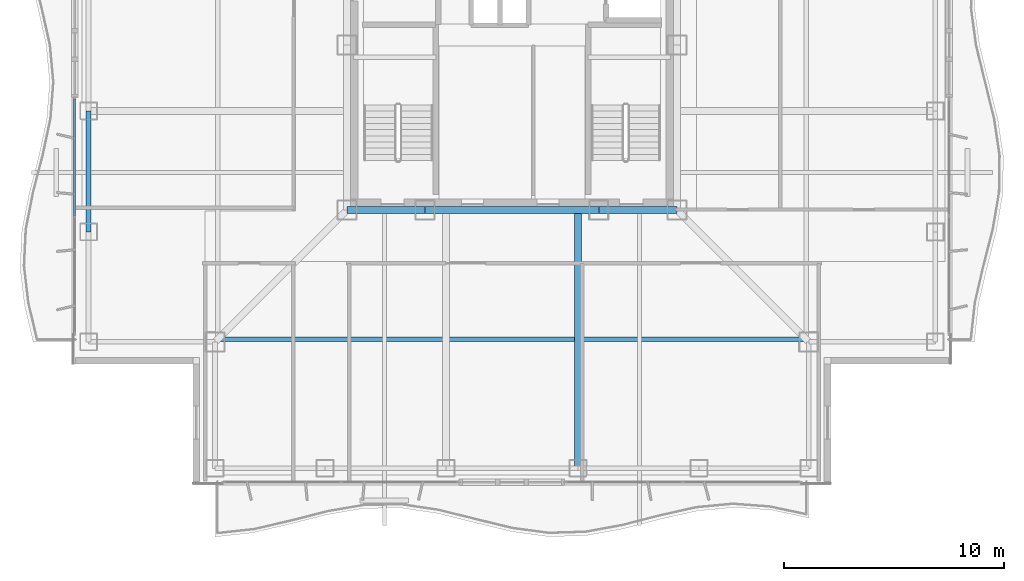
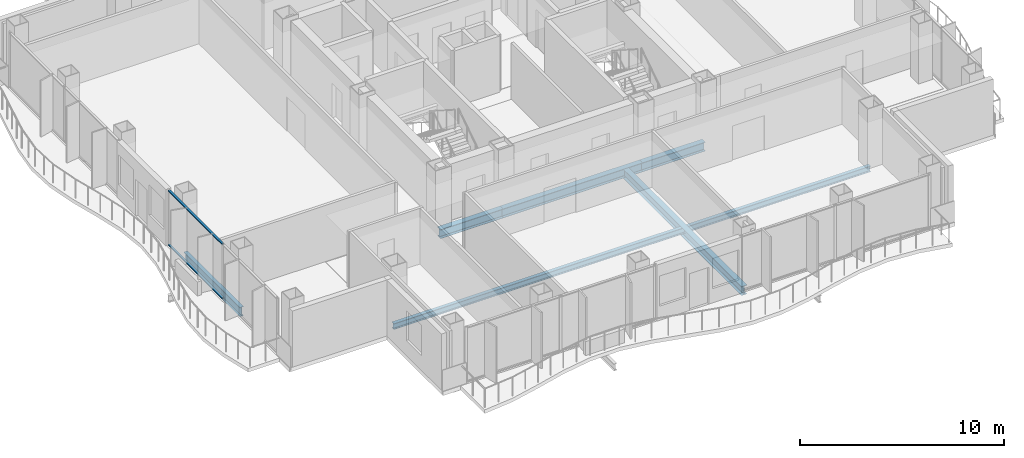
# One storey, part 3 of 16: 6 beams, 2 members, 1 element without a shape of its own.
"""IFC4 building model written with IfcOpenShell, lengths in metres."""

from ifc_helpers import new_model, si_unit, direction, frame, origin, origin_2d, place, context, subcontext, project, spatial, rectangle, i_section, extrude, material, layer, layer_set, material_profile, profile_set, type_object, element, aggregate, save


model = new_model("IFC4")

# Units and contexts
model_context = context("Model", 3, precision=1e-05, world=origin(), true_north=direction((0.0, 1.0)))
body_context = subcontext(model_context, "Body", "Model", "MODEL_VIEW")
ifc_project = project(units=[si_unit("LENGTHUNIT", "METRE"), si_unit("AREAUNIT", "SQUARE_METRE"), si_unit("VOLUMEUNIT", "CUBIC_METRE"), si_unit("PLANEANGLEUNIT", "RADIAN"), si_unit("MASSUNIT", "GRAM", prefix="KILO")], contexts=[model_context])

# Site, building, storey
site_placement = place(None, origin())
site = spatial("IfcSite", under=ifc_project, at=site_placement, CompositionType="ELEMENT")
building_placement = place(site_placement, origin())
building = spatial("IfcBuilding", under=site, at=building_placement, Name="Trevonay Congress Spire", CompositionType="ELEMENT")
storey_placement = place(building_placement, frame((0.0, 0.0, 195.0)))
storey = spatial("IfcBuildingStorey", under=building, at=storey_placement, Name="L50", CompositionType="ELEMENT", Elevation=195.0)

# Beams
ifc_material_1 = material(Name="Steel ASTM A572 Grade 50", Category="steel")
ifc_material_profile_1 = material_profile(ifc_material_1, i_section(OverallWidth=0.31201171875, OverallDepth=0.54296875, WebThickness=0.0126953125, FlangeThickness=0.020263671875, FilletRadius=0.014892578125, at=origin_2d()), Name="W530x150")
ifc_profile_set_1 = profile_set([ifc_material_profile_1], Name="Steel ASTM A572 Grade 50")
beam_type_1 = type_object("IfcBeamType", Name="BM-GIRD-W530X150", PredefinedType="BEAM", material=ifc_profile_set_1)
beam_1_placement = place(storey_placement, frame((-7.5, -7.5, -0.511474609375), z_axis=(1.0, 0.0, 0.0), x_axis=(0.0, 1.0, 0.0)))
element("IfcBeam", 1, at=beam_1_placement, inside=storey, type_object=beam_type_1, Name="L50 structural beam BM-L50-CR-S1", PredefinedType="BEAM", context=body_context, shape_type="SweptSolid", body=[
    extrude(i_section(OverallWidth=0.31201171875, OverallDepth=0.54296875, WebThickness=0.0126953125, FlangeThickness=0.020263671875, FilletRadius=0.014892578125, at=origin_2d()), origin(), (0.0, 0.0, 1.0), 3.550048828125),
])
beam_2_placement = place(storey_placement, frame((-3.949951171875, -7.5, -0.511474609375), z_axis=(1.0, 0.0, 0.0), x_axis=(0.0, 1.0, 0.0)))
element("IfcBeam", 2, at=beam_2_placement, inside=storey, type_object=beam_type_1, Name="L50 structural beam BM-L50-CR-S2", PredefinedType="BEAM", context=body_context, shape_type="SweptSolid", body=[
    extrude(i_section(OverallWidth=0.31201171875, OverallDepth=0.54296875, WebThickness=0.0126953125, FlangeThickness=0.020263671875, FilletRadius=0.014892578125, at=origin_2d()), origin(), (0.0, 0.0, 1.0), 7.89990234375),
])
beam_3_placement = place(storey_placement, frame((3.949951171875, -7.5, -0.511474609375), z_axis=(1.0, 0.0, 0.0), x_axis=(0.0, 1.0, 0.0)))
element("IfcBeam", 3, at=beam_3_placement, inside=storey, type_object=beam_type_1, Name="L50 structural beam BM-L50-CR-S3", PredefinedType="BEAM", context=body_context, shape_type="SweptSolid", body=[
    extrude(i_section(OverallWidth=0.31201171875, OverallDepth=0.54296875, WebThickness=0.0126953125, FlangeThickness=0.020263671875, FilletRadius=0.014892578125, at=origin_2d()), origin(), (0.0, 0.0, 1.0), 3.550048828125),
])
beam_4_placement = place(storey_placement, frame((3.0, -7.5, -0.511474609375), z_axis=(0.0, -1.0, 0.0), x_axis=(1.0, 0.0, 0.0)))
element("IfcBeam", 4, at=beam_4_placement, inside=storey, type_object=beam_type_1, Name="L50 structural beam BM-L50-GS-P", PredefinedType="BEAM", context=body_context, shape_type="SweptSolid", body=[
    extrude(i_section(OverallWidth=0.31201171875, OverallDepth=0.54296875, WebThickness=0.0126953125, FlangeThickness=0.020263671875, FilletRadius=0.014892578125, at=origin_2d()), origin(), (0.0, 0.0, 1.0), 11.75),
])
ifc_material_profile_2 = material_profile(ifc_material_1, i_section(OverallWidth=0.2119140625, OverallDepth=0.5439453125, WebThickness=0.01318359375, FlangeThickness=0.021240234375, FilletRadius=0.014892578125, at=origin_2d()), Name="W530x123")
ifc_profile_set_2 = profile_set([ifc_material_profile_2], Name="Steel ASTM A572 Grade 50")
beam_type_2 = type_object("IfcBeamType", Name="BM-RING-W530X123", PredefinedType="BEAM", material=ifc_profile_set_2)
beam_5_placement = place(storey_placement, frame((-19.25, -8.5, -0.511962890625), z_axis=(0.0, 1.0, 0.0), x_axis=(-1.0, 0.0, 0.0)))
element("IfcBeam", 5, at=beam_5_placement, inside=storey, type_object=beam_type_2, Name="L50 structural beam BM-L50-PW2", PredefinedType="BEAM", context=body_context, shape_type="SweptSolid", body=[
    extrude(i_section(OverallWidth=0.2119140625, OverallDepth=0.5439453125, WebThickness=0.01318359375, FlangeThickness=0.021240234375, FilletRadius=0.014892578125, at=origin_2d()), origin(), (0.0, 0.0, 1.0), 5.5),
])

# Curtain wall, members
ifc_material_2 = material(Name="Pale Anodised Aluminium EN AW-6063-T6", Category="aluminium")
ifc_layer = layer(ifc_material_2, 0.169921875, Name="Pale Anodised Aluminium EN AW-6063-T6")
ifc_layer_set = layer_set([ifc_layer], Name="Pale Anodised Aluminium EN AW-6063-T6")
curtain_wall_type = type_object("IfcCurtainWallType", Name="CW-SYS04-CORP-PALE-METAL", PredefinedType="NOTDEFINED", material=ifc_layer_set)
curtain_wall_placement = place(storey_placement, origin())
curtain_wall = element("IfcCurtainWall", 6, at=curtain_wall_placement, inside=storey, type_object=curtain_wall_type, Name="L50 WA unitised curtain wall", PredefinedType="NOTDEFINED")
ifc_material_profile_3 = material_profile(ifc_material_2, rectangle(XDim=0.1201171875, YDim=0.06005859375, at=origin_2d()), Name="CW-TRANSOM-120-ALUMINIUM")
ifc_profile_set_3 = profile_set([ifc_material_profile_3], Name="Pale Anodised Aluminium EN AW-6063-T6")
member_type = type_object("IfcMemberType", Name="CW-TRANSOM-120-ALUMINIUM", PredefinedType="USERDEFINED", material=ifc_profile_set_3)
member_1_placement = place(storey_placement, frame((-19.8798828125, -7.7451171875, 0.06005859375), z_axis=(0.0, 1.0, 0.0), x_axis=(-1.0, 0.0, 0.0)))
member_1 = element("IfcMember", 7, at=member_1_placement, type_object=member_type, Name="CW04 transom 2.1", ObjectType="TRANSOM", PredefinedType="USERDEFINED", context=body_context, shape_type="SweptSolid", body=[
    extrude(rectangle(XDim=0.1201171875, YDim=0.06005859375, at=origin_2d()), origin(), (0.0, 0.0, 1.0), 5.28515625),
])
member_2_placement = place(storey_placement, frame((-19.8798828125, -7.7451171875, 3.300048828125), z_axis=(0.0, 1.0, 0.0), x_axis=(-1.0, 0.0, 0.0)))
member_2 = element("IfcMember", 8, at=member_2_placement, type_object=member_type, Name="CW04 transom 2.2", ObjectType="TRANSOM", PredefinedType="USERDEFINED", context=body_context, shape_type="SweptSolid", body=[
    extrude(rectangle(XDim=0.1201171875, YDim=0.06005859375, at=origin_2d()), origin(), (0.0, 0.0, 1.0), 5.28515625),
])
aggregate(curtain_wall, [member_1, member_2])

# Beam
ifc_material_profile_4 = material_profile(ifc_material_1, i_section(OverallWidth=0.205078125, OverallDepth=0.35400390625, WebThickness=0.009521484375, FlangeThickness=0.016845703125, FilletRadius=0.011962890625, at=origin_2d()), Name="W360x79")
ifc_profile_set_4 = profile_set([ifc_material_profile_4], Name="Steel ASTM A572 Grade 50")
beam_type_3 = type_object("IfcBeamType", Name="JS-COMP-W360X79", PredefinedType="JOIST", material=ifc_profile_set_4)
beam_6_placement = place(storey_placement, frame((-13.5, -13.375, -0.4169921875), z_axis=(1.0, 0.0, 0.0), x_axis=(0.0, 1.0, 0.0)))
element("IfcBeam", 9, at=beam_6_placement, inside=storey, type_object=beam_type_3, Name="L50 structural beam JS-L50-RING-S", PredefinedType="JOIST", context=body_context, shape_type="SweptSolid", body=[
    extrude(i_section(OverallWidth=0.205078125, OverallDepth=0.35400390625, WebThickness=0.009521484375, FlangeThickness=0.016845703125, FilletRadius=0.011962890625, at=origin_2d()), origin(), (0.0, 0.0, 1.0), 27.0),
])

save(model, "model.ifc")
